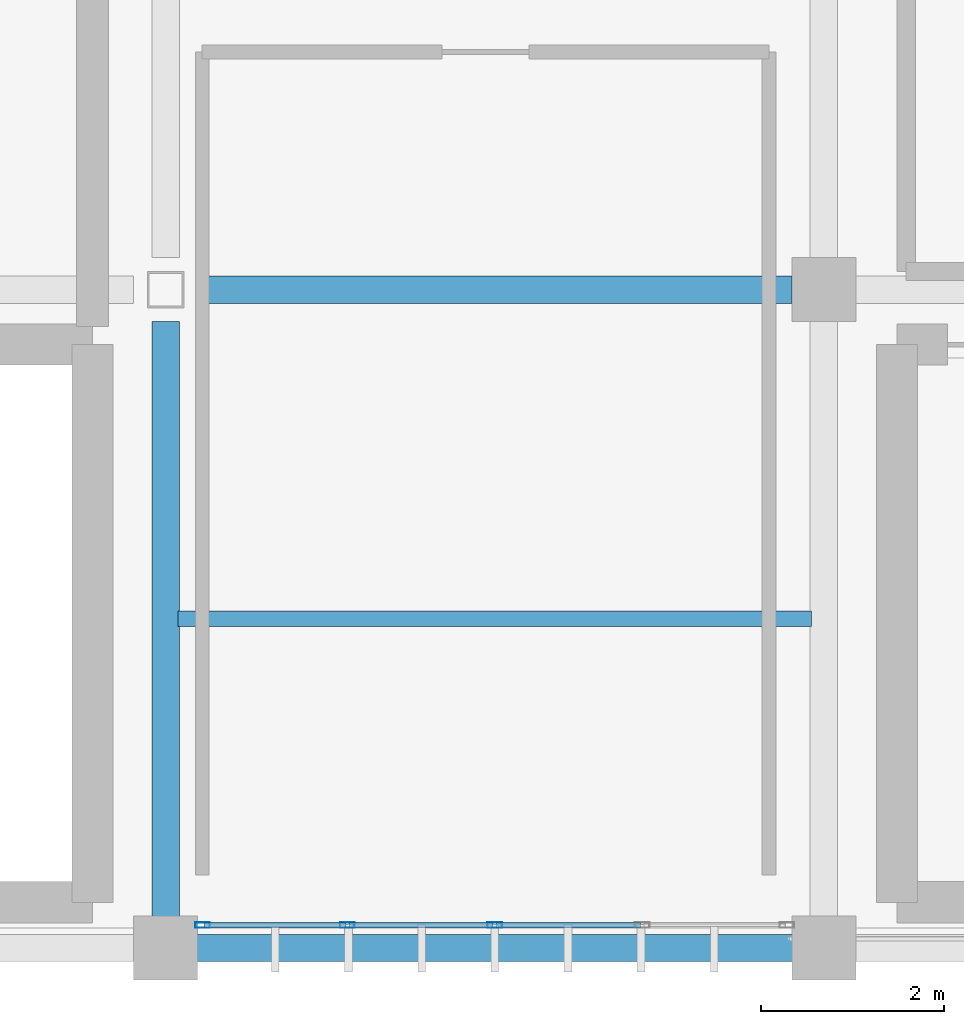
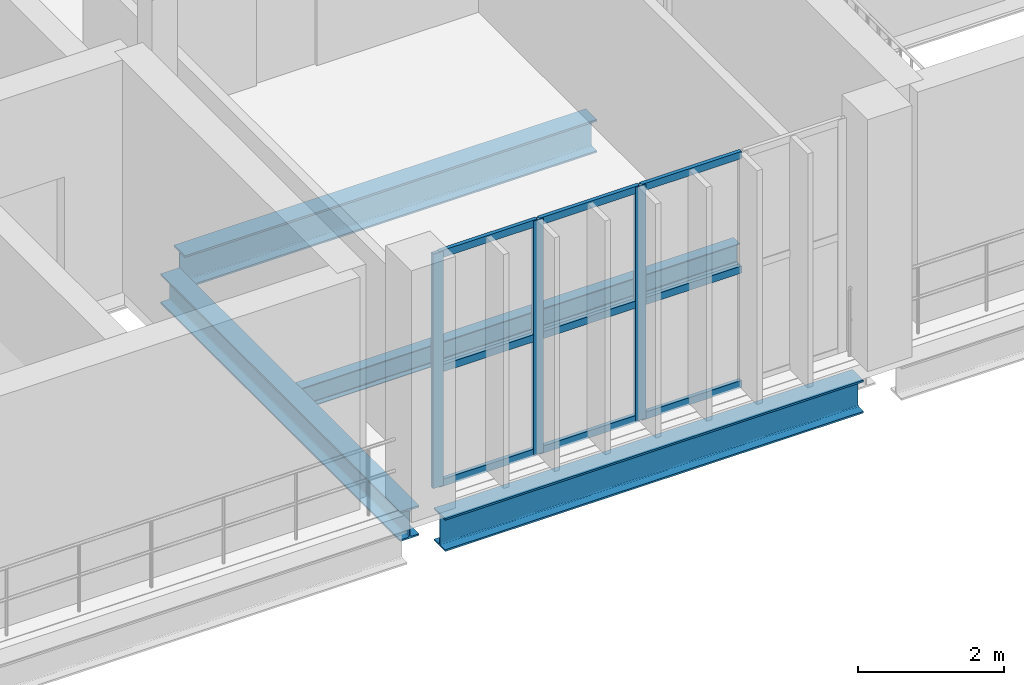
# One storey, part 24 of 130: 12 members, 4 beams, 1 element without a shape of its own.
"""IFC4 building model written with IfcOpenShell, lengths in metres."""

from ifc_helpers import new_model, si_unit, direction, frame, origin, origin_2d, place, context, subcontext, project, spatial, hollow_rectangle, i_section, extrude, material, material_profile, profile_set, type_object, element, aggregate, save


model = new_model("IFC4")

# Units and contexts
model_context = context("Model", 3, precision=1e-05, world=origin(), true_north=direction((0.0, 1.0)))
body_context = subcontext(model_context, "Body", "Model", "MODEL_VIEW")
ifc_project = project(units=[si_unit("LENGTHUNIT", "METRE"), si_unit("AREAUNIT", "SQUARE_METRE"), si_unit("VOLUMEUNIT", "CUBIC_METRE"), si_unit("PLANEANGLEUNIT", "RADIAN"), si_unit("MASSUNIT", "GRAM", prefix="KILO")], contexts=[model_context])

# Site, building, storey
site_placement = place(None, origin())
site = spatial("IfcSite", under=ifc_project, at=site_placement, CompositionType="ELEMENT")
building_placement = place(site_placement, origin())
building = spatial("IfcBuilding", under=site, at=building_placement, Name="Qandorah Velis Arena", CompositionType="ELEMENT")
storey_placement = place(building_placement, frame((0.0, 0.0, 9.60009765625)))
storey = spatial("IfcBuildingStorey", under=building, at=storey_placement, Name="L02", CompositionType="ELEMENT", Elevation=9.60009765625)

# Curtain wall, members
ifc_material_1 = material(Name="Solar-control low-E double glazing", Category="glass")
curtain_wall_type = type_object("IfcCurtainWallType", Name="ARC-CW-SYS15", PredefinedType="USERDEFINED", material=ifc_material_1)
curtain_wall_placement = place(storey_placement, origin())
curtain_wall = element("IfcCurtainWall", 1, at=curtain_wall_placement, inside=storey, type_object=curtain_wall_type, Name="Unitised curtain wall L02-063", ObjectType="UNITISED CURTAIN WALL", PredefinedType="USERDEFINED")
ifc_material_2 = material(Name="Champagne-bronze anodized aluminium 6063-T6", Category="aluminium")
ifc_material_profile_1 = material_profile(ifc_material_2, hollow_rectangle(XDim=0.06005859375, YDim=0.159912109375, WallThickness=0.00341796875, at=origin_2d()), Name="ALU MULLION 60x160")
ifc_profile_set_1 = profile_set([ifc_material_profile_1], Name="Champagne-bronze anodized aluminium 6063-T6")
member_type_1 = type_object("IfcMemberType", Name="ARC-CWM-160", PredefinedType="MULLION", material=ifc_profile_set_1)
member_1_placement = place(storey_placement, frame((43.60498046875, 0.25, -0.01513671875), z_axis=(0.0, 0.0, 1.0), x_axis=(0.0, 1.0, 0.0)))
member_1 = element("IfcMember", 2, at=member_1_placement, type_object=member_type_1, Name="CW15 mullion 1", PredefinedType="MULLION", context=body_context, shape_type="SweptSolid", body=[
    extrude(hollow_rectangle(XDim=0.06005859375, YDim=0.159912109375, WallThickness=0.00341796875, at=origin_2d()), origin(), (0.0, 0.0, 1.0), 3.91015625),
])
member_2_placement = place(storey_placement, frame((45.1875, 0.25, -0.01513671875), z_axis=(0.0, 0.0, 1.0), x_axis=(0.0, 1.0, 0.0)))
member_2 = element("IfcMember", 3, at=member_2_placement, type_object=member_type_1, Name="CW15 mullion 2", PredefinedType="MULLION", context=body_context, shape_type="SweptSolid", body=[
    extrude(hollow_rectangle(XDim=0.06005859375, YDim=0.159912109375, WallThickness=0.00341796875, at=origin_2d()), origin(), (0.0, 0.0, 1.0), 3.91015625),
])
member_3_placement = place(storey_placement, frame((46.800048828125, 0.25, -0.01513671875), z_axis=(0.0, 0.0, 1.0), x_axis=(0.0, 1.0, 0.0)))
member_3 = element("IfcMember", 4, at=member_3_placement, type_object=member_type_1, Name="CW15 mullion 3", PredefinedType="MULLION", context=body_context, shape_type="SweptSolid", body=[
    extrude(hollow_rectangle(XDim=0.06005859375, YDim=0.159912109375, WallThickness=0.00341796875, at=origin_2d()), origin(), (0.0, 0.0, 1.0), 3.91015625),
])
ifc_material_profile_2 = material_profile(ifc_material_2, hollow_rectangle(XDim=0.06005859375, YDim=0.1201171875, WallThickness=0.0029296875, at=origin_2d()), Name="ALU TRANSOM 60x120")
ifc_profile_set_2 = profile_set([ifc_material_profile_2], Name="Champagne-bronze anodized aluminium 6063-T6")
member_type_2 = type_object("IfcMemberType", Name="ARC-CWT-120", PredefinedType="USERDEFINED", material=ifc_profile_set_2)
member_4_placement = place(storey_placement, frame((43.623046875, 0.25, 0.02978515625), z_axis=(1.0, 0.0, 0.0), x_axis=(0.0, 1.0, 0.0)))
member_4 = element("IfcMember", 5, at=member_4_placement, type_object=member_type_2, Name="CW15 transom 1.1", ObjectType="TRANSOM", PredefinedType="USERDEFINED", context=body_context, shape_type="SweptSolid", body=[
    extrude(hollow_rectangle(XDim=0.06005859375, YDim=0.1201171875, WallThickness=0.0029296875, at=origin_2d()), origin(), (0.0, 0.0, 1.0), 1.54638671875),
])
member_5_placement = place(storey_placement, frame((43.623046875, 0.25, 1.93994140625), z_axis=(1.0, 0.0, 0.0), x_axis=(0.0, 1.0, 0.0)))
member_5 = element("IfcMember", 6, at=member_5_placement, type_object=member_type_2, Name="CW15 transom 1.2", ObjectType="TRANSOM", PredefinedType="USERDEFINED", context=body_context, shape_type="SweptSolid", body=[
    extrude(hollow_rectangle(XDim=0.06005859375, YDim=0.1201171875, WallThickness=0.0029296875, at=origin_2d()), origin(), (0.0, 0.0, 1.0), 1.54638671875),
])
member_6_placement = place(storey_placement, frame((43.623046875, 0.25, 3.849853515625), z_axis=(1.0, 0.0, 0.0), x_axis=(0.0, 1.0, 0.0)))
member_6 = element("IfcMember", 7, at=member_6_placement, type_object=member_type_2, Name="CW15 transom 1.3", ObjectType="TRANSOM", PredefinedType="USERDEFINED", context=body_context, shape_type="SweptSolid", body=[
    extrude(hollow_rectangle(XDim=0.06005859375, YDim=0.1201171875, WallThickness=0.0029296875, at=origin_2d()), origin(), (0.0, 0.0, 1.0), 1.54638671875),
])
member_7_placement = place(storey_placement, frame((45.20556640625, 0.25, 0.02978515625), z_axis=(1.0, 0.0, 0.0), x_axis=(0.0, 1.0, 0.0)))
member_7 = element("IfcMember", 8, at=member_7_placement, type_object=member_type_2, Name="CW15 transom 2.1", ObjectType="TRANSOM", PredefinedType="USERDEFINED", context=body_context, shape_type="SweptSolid", body=[
    extrude(hollow_rectangle(XDim=0.06005859375, YDim=0.1201171875, WallThickness=0.0029296875, at=origin_2d()), origin(), (0.0, 0.0, 1.0), 1.576416015625),
])
member_8_placement = place(storey_placement, frame((45.20556640625, 0.25, 1.93994140625), z_axis=(1.0, 0.0, 0.0), x_axis=(0.0, 1.0, 0.0)))
member_8 = element("IfcMember", 9, at=member_8_placement, type_object=member_type_2, Name="CW15 transom 2.2", ObjectType="TRANSOM", PredefinedType="USERDEFINED", context=body_context, shape_type="SweptSolid", body=[
    extrude(hollow_rectangle(XDim=0.06005859375, YDim=0.1201171875, WallThickness=0.0029296875, at=origin_2d()), origin(), (0.0, 0.0, 1.0), 1.576416015625),
])
member_9_placement = place(storey_placement, frame((45.20556640625, 0.25, 3.849853515625), z_axis=(1.0, 0.0, 0.0), x_axis=(0.0, 1.0, 0.0)))
member_9 = element("IfcMember", 10, at=member_9_placement, type_object=member_type_2, Name="CW15 transom 2.3", ObjectType="TRANSOM", PredefinedType="USERDEFINED", context=body_context, shape_type="SweptSolid", body=[
    extrude(hollow_rectangle(XDim=0.06005859375, YDim=0.1201171875, WallThickness=0.0029296875, at=origin_2d()), origin(), (0.0, 0.0, 1.0), 1.576416015625),
])
member_10_placement = place(storey_placement, frame((46.818115234375, 0.25, 0.02978515625), z_axis=(1.0, 0.0, 0.0), x_axis=(0.0, 1.0, 0.0)))
member_10 = element("IfcMember", 11, at=member_10_placement, type_object=member_type_2, Name="CW15 transom 3.1", ObjectType="TRANSOM", PredefinedType="USERDEFINED", context=body_context, shape_type="SweptSolid", body=[
    extrude(hollow_rectangle(XDim=0.06005859375, YDim=0.1201171875, WallThickness=0.0029296875, at=origin_2d()), origin(), (0.0, 0.0, 1.0), 1.576416015625),
])
member_11_placement = place(storey_placement, frame((46.818115234375, 0.25, 1.93994140625), z_axis=(1.0, 0.0, 0.0), x_axis=(0.0, 1.0, 0.0)))
member_11 = element("IfcMember", 12, at=member_11_placement, type_object=member_type_2, Name="CW15 transom 3.2", ObjectType="TRANSOM", PredefinedType="USERDEFINED", context=body_context, shape_type="SweptSolid", body=[
    extrude(hollow_rectangle(XDim=0.06005859375, YDim=0.1201171875, WallThickness=0.0029296875, at=origin_2d()), origin(), (0.0, 0.0, 1.0), 1.576416015625),
])
member_12_placement = place(storey_placement, frame((46.818115234375, 0.25, 3.849853515625), z_axis=(1.0, 0.0, 0.0), x_axis=(0.0, 1.0, 0.0)))
member_12 = element("IfcMember", 13, at=member_12_placement, type_object=member_type_2, Name="CW15 transom 3.3", ObjectType="TRANSOM", PredefinedType="USERDEFINED", context=body_context, shape_type="SweptSolid", body=[
    extrude(hollow_rectangle(XDim=0.06005859375, YDim=0.1201171875, WallThickness=0.0029296875, at=origin_2d()), origin(), (0.0, 0.0, 1.0), 1.576416015625),
])
aggregate(curtain_wall, [member_1, member_2, member_3, member_4, member_5, member_6, member_7, member_8, member_9, member_10, member_11, member_12])

# Beams
ifc_material_3 = material(Name="Steel S355", Category="steel")
ifc_material_profile_3 = material_profile(ifc_material_3, i_section(OverallWidth=0.300048828125, OverallDepth=0.5, WebThickness=0.014404296875, FlangeThickness=0.028076171875, FilletRadius=0.027099609375, at=origin_2d()), Name="HEB 500")
ifc_profile_set_3 = profile_set([ifc_material_profile_3], Name="Steel S355")
beam_type_1 = type_object("IfcBeamType", Name="STR-BM-HEB500", PredefinedType="BEAM", material=ifc_profile_set_3)
beam_1_placement = place(storey_placement, frame((43.199951171875, 0.300048828125, -0.530029296875), z_axis=(0.0, 1.0, 0.0), x_axis=(-1.0, 0.0, 0.0)))
element("IfcBeam", 14, at=beam_1_placement, inside=storey, type_object=beam_type_1, Name="Primary floor girder L02 Y-248", PredefinedType="BEAM", context=body_context, shape_type="SweptSolid", body=[
    extrude(i_section(OverallWidth=0.300048828125, OverallDepth=0.5, WebThickness=0.014404296875, FlangeThickness=0.028076171875, FilletRadius=0.027099609375, at=origin_2d()), origin(), (0.0, 0.0, 1.0), 6.550048828125),
])
ifc_material_profile_4 = material_profile(ifc_material_3, i_section(OverallWidth=0.300048828125, OverallDepth=0.550048828125, WebThickness=0.014892578125, FlangeThickness=0.029052734375, FilletRadius=0.027099609375, at=origin_2d()), Name="HEB 550")
ifc_profile_set_4 = profile_set([ifc_material_profile_4], Name="Steel S355")
beam_type_2 = type_object("IfcBeamType", Name="STR-BM-HEB550", PredefinedType="BEAM", material=ifc_profile_set_4)
beam_2_placement = place(storey_placement, frame((43.5, 0.0, -0.55517578125), z_axis=(1.0, 0.0, 0.0), x_axis=(0.0, 1.0, 0.0)))
element("IfcBeam", 15, at=beam_2_placement, inside=storey, type_object=beam_type_2, Name="Primary floor girder L02 X-003", PredefinedType="BEAM", context=body_context, shape_type="SweptSolid", body=[
    extrude(i_section(OverallWidth=0.300048828125, OverallDepth=0.550048828125, WebThickness=0.014892578125, FlangeThickness=0.029052734375, FilletRadius=0.027099609375, at=origin_2d()), origin(), (0.0, 0.0, 1.0), 6.60009765625),
])
beam_3_placement = place(storey_placement, frame((43.550048828125, 7.199951171875, -0.55517578125), z_axis=(1.0, 0.0, 0.0), x_axis=(0.0, 1.0, 0.0)))
element("IfcBeam", 16, at=beam_3_placement, inside=storey, type_object=beam_type_2, Name="Primary floor girder L02 X-015", PredefinedType="BEAM", context=body_context, shape_type="SweptSolid", body=[
    extrude(i_section(OverallWidth=0.300048828125, OverallDepth=0.550048828125, WebThickness=0.014892578125, FlangeThickness=0.029052734375, FilletRadius=0.027099609375, at=origin_2d()), origin(), (0.0, 0.0, 1.0), 6.5),
])
ifc_material_profile_5 = material_profile(ifc_material_3, i_section(OverallWidth=0.169921875, OverallDepth=0.360107421875, WebThickness=0.008056640625, FlangeThickness=0.0126953125, FilletRadius=0.01806640625, at=origin_2d()), Name="IPE 360")
ifc_profile_set_5 = profile_set([ifc_material_profile_5], Name="Steel S355")
beam_type_3 = type_object("IfcBeamType", Name="STR-JST-IPE360", PredefinedType="JOIST", material=ifc_profile_set_5)
beam_4_placement = place(storey_placement, frame((43.3349609375, 3.60009765625, -0.460205078125), z_axis=(1.0, 0.0, 0.0), x_axis=(0.0, 1.0, 0.0)))
element("IfcBeam", 17, at=beam_4_placement, inside=storey, type_object=beam_type_3, Name="Secondary floor joist L02-043", PredefinedType="JOIST", context=body_context, shape_type="SweptSolid", body=[
    extrude(i_section(OverallWidth=0.169921875, OverallDepth=0.360107421875, WebThickness=0.008056640625, FlangeThickness=0.0126953125, FilletRadius=0.01806640625, at=origin_2d()), origin(), (0.0, 0.0, 1.0), 6.929931640625),
])

save(model, "model.ifc")
